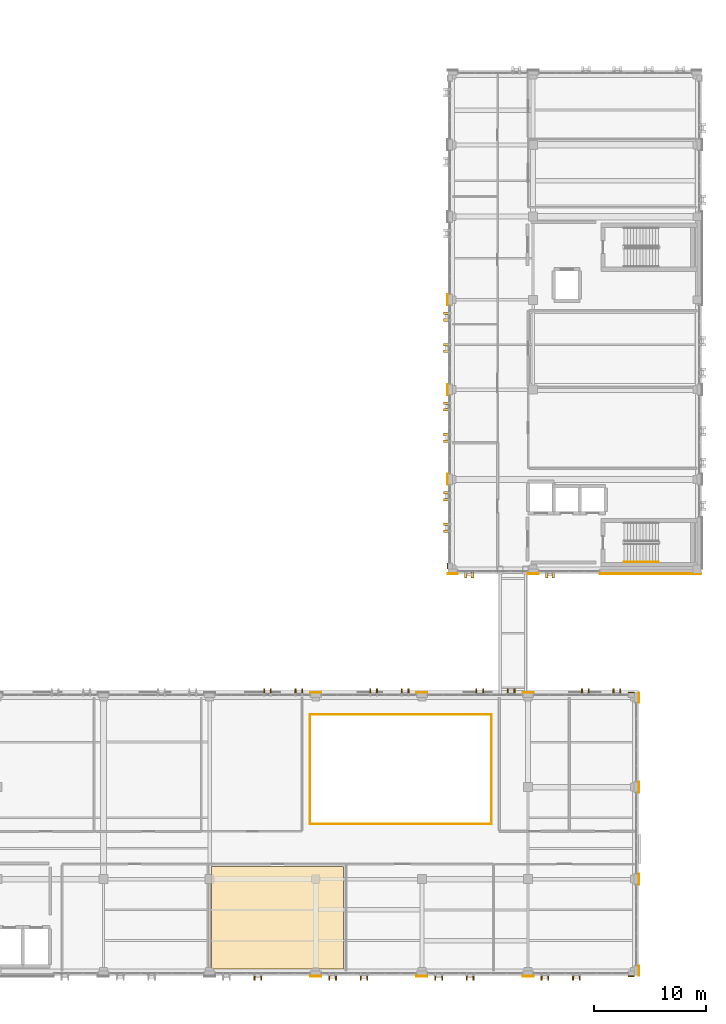
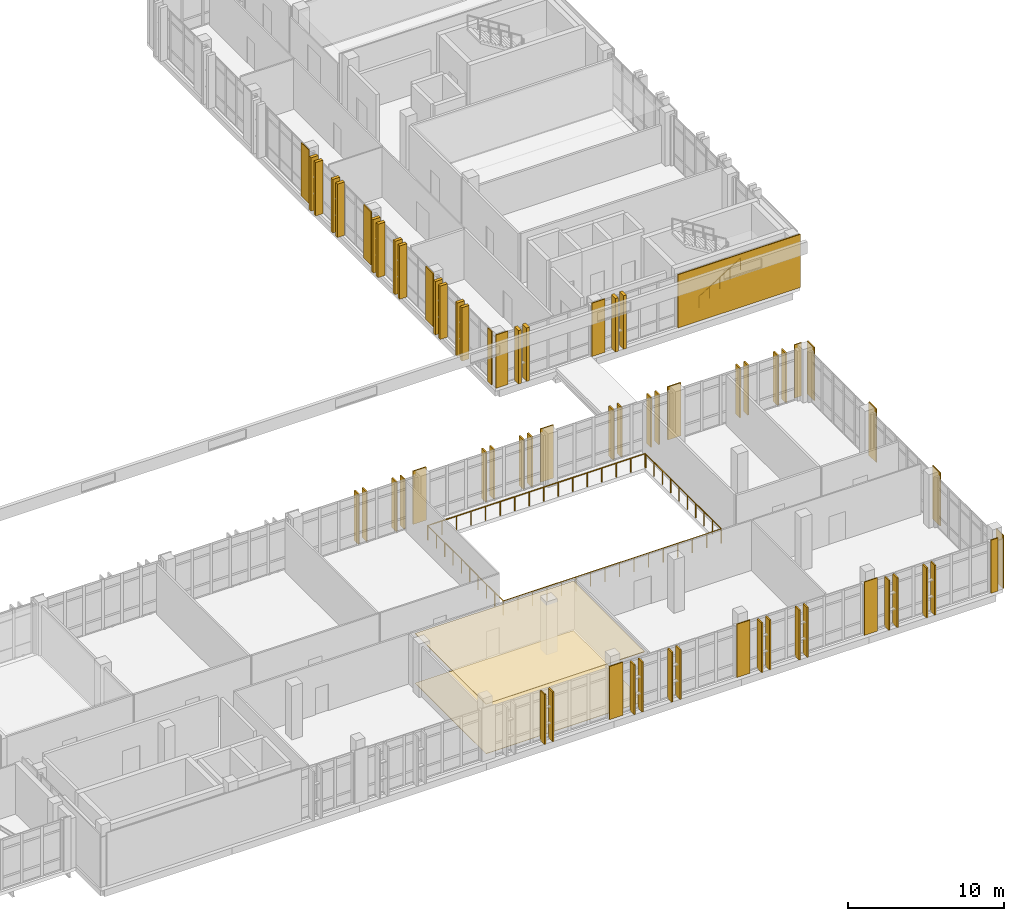
# One storey, part 147 of 158: 37 coverings, 30 shading devices, 5 railings.
"""IFC4 building model written with IfcOpenShell, lengths in metres."""

from ifc_helpers import new_model, si_unit, direction, frame, origin, origin_2d, place, context, subcontext, project, spatial, polyline, rectangle, circle, outline, extrude, material, layer, layer_set, type_object, element, save


model = new_model("IFC4")

# Units and contexts
model_context = context("Model", 3, precision=1e-05, world=origin(), true_north=direction((0.0, 1.0)))
body_context = subcontext(model_context, "Body", "Model", "MODEL_VIEW")
ifc_project = project(units=[si_unit("LENGTHUNIT", "METRE"), si_unit("AREAUNIT", "SQUARE_METRE"), si_unit("VOLUMEUNIT", "CUBIC_METRE"), si_unit("PLANEANGLEUNIT", "RADIAN"), si_unit("MASSUNIT", "GRAM", prefix="KILO")], contexts=[model_context])

# Site, building, storey
site_placement = place(None, origin())
site = spatial("IfcSite", under=ifc_project, at=site_placement, CompositionType="ELEMENT")
building_placement = place(site_placement, origin())
building = spatial("IfcBuilding", under=site, at=building_placement, Name="Qalavern Law Courts", CompositionType="ELEMENT")
storey_placement = place(building_placement, frame((0.0, 0.0, 18.60009765625)))
storey = spatial("IfcBuildingStorey", under=building, at=storey_placement, Name="L04", CompositionType="ELEMENT", Elevation=18.60009765625)

# Coverings
ifc_material_1 = material(Name="Precast concrete C40/50", Category="concrete")
ifc_layer_1 = layer(ifc_material_1, 0.22998046875)
ifc_layer_set_1 = layer_set([ifc_layer_1], Name="Precast concrete C40/50")
covering_type_1 = type_object("IfcCoveringType", Name="ENV-BLD-2", PredefinedType="CLADDING", material=ifc_layer_set_1)
for number, where, z_axis, x_axis, name in (
    (1, (85.800048828125, 40.909912109375, 0.0048828125), (0.0, 0.0, 1.0), (0.0, -1.0, 0.0), "Absheron stone facade blade 0667"),
    (2, (86.39990234375, 40.909912109375, 0.0048828125), (0.0, 0.0, 1.0), (0.0, -1.0, 0.0), "Absheron stone facade blade 0668"),
    (3, (93.0, 40.909912109375, 0.0048828125), (0.0, 0.0, 1.0), (0.0, -1.0, 0.0), "Absheron stone facade blade 0669"),
    (4, (93.60009765625, 40.909912109375, 0.0048828125), (0.0, 0.0, 1.0), (0.0, -1.0, 0.0), "Absheron stone facade blade 0670"),
    (5, (84.090087890625, 64.199951171875, 0.0048828125), (0.0, 0.0, 1.0), (-1.0, 0.0, 0.0), "Absheron stone facade blade 0701"),
    (6, (84.090087890625, 63.60009765625, 0.0048828125), (0.0, 0.0, 1.0), (-1.0, 0.0, 0.0), "Absheron stone facade blade 0702"),
    (7, (84.090087890625, 61.39990234375, 0.0048828125), (0.0, 0.0, 1.0), (-1.0, 0.0, 0.0), "Absheron stone facade blade 0703"),
    (8, (84.090087890625, 60.800048828125, 0.0048828125), (0.0, 0.0, 1.0), (-1.0, 0.0, 0.0), "Absheron stone facade blade 0704"),
    (9, (84.090087890625, 56.199951171875, 0.0048828125), (0.0, 0.0, 1.0), (-1.0, 0.0, 0.0), "Absheron stone facade blade 0705"),
    (10, (84.090087890625, 55.60009765625, 0.0048828125), (0.0, 0.0, 1.0), (-1.0, 0.0, 0.0), "Absheron stone facade blade 0706"),
    (11, (84.090087890625, 53.39990234375, 0.0048828125), (0.0, 0.0, 1.0), (-1.0, 0.0, 0.0), "Absheron stone facade blade 0707"),
    (12, (84.090087890625, 52.800048828125, 0.0048828125), (0.0, 0.0, 1.0), (-1.0, 0.0, 0.0), "Absheron stone facade blade 0708"),
    (13, (84.090087890625, 48.199951171875, 0.0048828125), (0.0, 0.0, 1.0), (-1.0, 0.0, 0.0), "Absheron stone facade blade 0709"),
    (14, (84.090087890625, 47.60009765625, 0.0048828125), (0.0, 0.0, 1.0), (-1.0, 0.0, 0.0), "Absheron stone facade blade 0710"),
    (15, (84.090087890625, 45.39990234375, 0.0048828125), (0.0, 0.0, 1.0), (-1.0, 0.0, 0.0), "Absheron stone facade blade 0711"),
    (16, (84.090087890625, 44.800048828125, 0.0048828125), (0.0, 0.0, 1.0), (-1.0, 0.0, 0.0), "Absheron stone facade blade 0712"),
):
    element("IfcCovering", number, at=place(storey_placement, frame(where, z_axis=z_axis, x_axis=x_axis)), inside=storey, type_object=covering_type_1, Name=name, PredefinedType="CLADDING", context=body_context, shape_type="SweptSolid", body=[
        extrude(rectangle(XDim=0.5400390625, YDim=0.22998046875, at=origin_2d()), origin(), (0.0, 0.0, 1.0), 4.18994140625),
    ])
ifc_layer_2 = layer(ifc_material_1, 0.072021484375)
ifc_layer_set_2 = layer_set([ifc_layer_2], Name="Precast concrete C40/50")
covering_type_2 = type_object("IfcCoveringType", Name="ENV-CLD-2", PredefinedType="CLADDING", material=ifc_layer_set_2)
for number, where, z_axis, x_axis, name in (
    (17, (72.43701171875, 5.1669921875, 0.009765625), (0.0, 0.0, 1.0), (1.0, 0.0, 0.0), "V2 Absheron limestone pier facing L04 south 4"),
    (18, (81.891357421875, 5.1669921875, 0.009765625), (0.0, 0.0, 1.0), (1.0, 0.0, 0.0), "V2 Absheron limestone pier facing L04 south 5"),
    (19, (91.345703125, 5.1669921875, 0.009765625), (0.0, 0.0, 1.0), (1.0, 0.0, 0.0), "V2 Absheron limestone pier facing L04 south 6"),
):
    element("IfcCovering", number, at=place(storey_placement, frame(where, z_axis=z_axis, x_axis=x_axis)), inside=storey, type_object=covering_type_2, Name=name, PredefinedType="CLADDING", context=body_context, shape_type="SweptSolid", body=[
        extrude(rectangle(XDim=0.97998046875, YDim=0.072021484375, at=origin_2d()), origin(), (0.0, 0.0, 1.0), 4.179931640625),
    ])
covering_1_placement = place(storey_placement, frame((100.530029296875, 5.1669921875, 0.009765625), z_axis=(0.0, 0.0, 1.0), x_axis=(1.0, 0.0, 0.0)))
element("IfcCovering", 20, at=covering_1_placement, inside=storey, type_object=covering_type_2, Name="V2 Absheron limestone pier facing L04 south 7", PredefinedType="CLADDING", context=body_context, shape_type="SweptSolid", body=[
    extrude(rectangle(XDim=0.530029296875, YDim=0.072021484375, at=origin_2d()), origin(), (0.0, 0.0, 1.0), 4.179931640625),
])
covering_2_placement = place(storey_placement, frame((101.23291015625, 5.64990234375, 0.009765625), z_axis=(0.0, 0.0, 1.0), x_axis=(0.0, 1.0, 0.0)))
element("IfcCovering", 21, at=covering_2_placement, inside=storey, type_object=covering_type_2, Name="V2 Absheron limestone pier facing L04 east 1", PredefinedType="CLADDING", context=body_context, shape_type="SweptSolid", body=[
    extrude(rectangle(XDim=0.8798828125, YDim=0.072021484375, at=origin_2d()), origin(), (0.0, 0.0, 1.0), 4.179931640625),
])
for number, where, z_axis, x_axis, name in (
    (22, (101.23291015625, 13.800048828125, 0.009765625), (0.0, 0.0, 1.0), (0.0, 1.0, 0.0), "V2 Absheron limestone pier facing L04 east 2"),
    (23, (101.23291015625, 22.0, 0.009765625), (0.0, 0.0, 1.0), (0.0, 1.0, 0.0), "V2 Absheron limestone pier facing L04 east 3"),
):
    element("IfcCovering", number, at=place(storey_placement, frame(where, z_axis=z_axis, x_axis=x_axis)), inside=storey, type_object=covering_type_2, Name=name, PredefinedType="CLADDING", context=body_context, shape_type="SweptSolid", body=[
        extrude(rectangle(XDim=0.97998046875, YDim=0.072021484375, at=origin_2d()), origin(), (0.0, 0.0, 1.0), 4.179931640625),
    ])
covering_3_placement = place(storey_placement, frame((101.23291015625, 29.949951171875, 0.009765625), z_axis=(0.0, 0.0, 1.0), x_axis=(0.0, 1.0, 0.0)))
element("IfcCovering", 24, at=covering_3_placement, inside=storey, type_object=covering_type_2, Name="V2 Absheron limestone pier facing L04 east 4", PredefinedType="CLADDING", context=body_context, shape_type="SweptSolid", body=[
    extrude(rectangle(XDim=0.8798828125, YDim=0.072021484375, at=origin_2d()), origin(), (0.0, 0.0, 1.0), 4.179931640625),
])
covering_4_placement = place(storey_placement, frame((100.530029296875, 30.43310546875, 0.009765625), z_axis=(0.0, 0.0, 1.0), x_axis=(-1.0, 0.0, 0.0)))
element("IfcCovering", 25, at=covering_4_placement, inside=storey, type_object=covering_type_2, Name="V2 Absheron limestone pier facing L04 north 1", PredefinedType="CLADDING", context=body_context, shape_type="SweptSolid", body=[
    extrude(rectangle(XDim=0.530029296875, YDim=0.072021484375, at=origin_2d()), origin(), (0.0, 0.0, 1.0), 4.179931640625),
])
for number, where, z_axis, x_axis, name in (
    (26, (91.345703125, 30.43310546875, 0.009765625), (0.0, 0.0, 1.0), (-1.0, 0.0, 0.0), "V2 Absheron limestone pier facing L04 north 2"),
    (27, (81.891357421875, 30.43310546875, 0.009765625), (0.0, 0.0, 1.0), (-1.0, 0.0, 0.0), "V2 Absheron limestone pier facing L04 north 3"),
    (28, (72.43701171875, 30.43310546875, 0.009765625), (0.0, 0.0, 1.0), (-1.0, 0.0, 0.0), "V2 Absheron limestone pier facing L04 north 4"),
):
    element("IfcCovering", number, at=place(storey_placement, frame(where, z_axis=z_axis, x_axis=x_axis)), inside=storey, type_object=covering_type_2, Name=name, PredefinedType="CLADDING", context=body_context, shape_type="SweptSolid", body=[
        extrude(rectangle(XDim=0.97998046875, YDim=0.072021484375, at=origin_2d()), origin(), (0.0, 0.0, 1.0), 4.179931640625),
    ])
covering_5_placement = place(storey_placement, frame((84.64990234375, 40.987060546875, 0.009765625), z_axis=(0.0, 0.0, 1.0), x_axis=(1.0, 0.0, 0.0)))
element("IfcCovering", 29, at=covering_5_placement, inside=storey, type_object=covering_type_2, Name="V4 Absheron limestone pier facing L04 south 1", PredefinedType="CLADDING", context=body_context, shape_type="SweptSolid", body=[
    extrude(rectangle(XDim=0.8798828125, YDim=0.072021484375, at=origin_2d()), origin(), (0.0, 0.0, 1.0), 4.179931640625),
])
covering_6_placement = place(storey_placement, frame((91.800048828125, 40.987060546875, 0.009765625), z_axis=(0.0, 0.0, 1.0), x_axis=(1.0, 0.0, 0.0)))
element("IfcCovering", 30, at=covering_6_placement, inside=storey, type_object=covering_type_2, Name="V4 Absheron limestone pier facing L04 south 2", PredefinedType="CLADDING", context=body_context, shape_type="SweptSolid", body=[
    extrude(rectangle(XDim=0.97998046875, YDim=0.072021484375, at=origin_2d()), origin(), (0.0, 0.0, 1.0), 4.179931640625),
])
covering_7_placement = place(storey_placement, frame((102.25, 40.987060546875, 0.009765625), z_axis=(0.0, 0.0, 1.0), x_axis=(1.0, 0.0, 0.0)))
element("IfcCovering", 31, at=covering_7_placement, inside=storey, type_object=covering_type_2, Name="V4 Absheron limestone pier facing L04 south 3", PredefinedType="CLADDING", context=body_context, shape_type="SweptSolid", body=[
    extrude(rectangle(XDim=9.080078125, YDim=0.072021484375, at=origin_2d()), origin(), (0.0, 0.0, 1.0), 4.179931640625),
])
for number, where, z_axis, x_axis, name in (
    (32, (84.1669921875, 65.39990234375, 0.009765625), (0.0, 0.0, 1.0), (0.0, -1.0, 0.0), "V4 Absheron limestone pier facing L04 west 4"),
    (33, (84.1669921875, 57.39990234375, 0.009765625), (0.0, 0.0, 1.0), (0.0, -1.0, 0.0), "V4 Absheron limestone pier facing L04 west 5"),
    (34, (84.1669921875, 49.39990234375, 0.009765625), (0.0, 0.0, 1.0), (0.0, -1.0, 0.0), "V4 Absheron limestone pier facing L04 west 6"),
):
    element("IfcCovering", number, at=place(storey_placement, frame(where, z_axis=z_axis, x_axis=x_axis)), inside=storey, type_object=covering_type_2, Name=name, PredefinedType="CLADDING", context=body_context, shape_type="SweptSolid", body=[
        extrude(rectangle(XDim=0.97998046875, YDim=0.072021484375, at=origin_2d()), origin(), (0.0, 0.0, 1.0), 4.179931640625),
    ])
covering_8_placement = place(storey_placement, frame((84.1669921875, 41.68994140625, 0.009765625), z_axis=(0.0, 0.0, 1.0), x_axis=(0.0, -1.0, 0.0)))
element("IfcCovering", 35, at=covering_8_placement, inside=storey, type_object=covering_type_2, Name="V4 Absheron limestone pier facing L04 west 7", PredefinedType="CLADDING", context=body_context, shape_type="SweptSolid", body=[
    extrude(rectangle(XDim=0.530029296875, YDim=0.072021484375, at=origin_2d()), origin(), (0.0, 0.0, 1.0), 4.179931640625),
])

# Shading devices
shading_device_type = type_object("IfcShadingDeviceType", Name="ENV-FIN-2", PredefinedType="USERDEFINED", material=ifc_material_1)
for number, where, z_axis, x_axis, name in (
    (36, (66.98291015625, 5.090087890625, 0.009765625), (0.0, 0.0, 1.0), (0.0, -1.0, 0.0), "Hall solar shading fin 0153"),
    (37, (67.5830078125, 5.090087890625, 0.009765625), (0.0, 0.0, 1.0), (0.0, -1.0, 0.0), "Hall solar shading fin 0154"),
    (38, (73.63720703125, 5.090087890625, 0.009765625), (0.0, 0.0, 1.0), (0.0, -1.0, 0.0), "Hall solar shading fin 0155"),
    (39, (74.237060546875, 5.090087890625, 0.009765625), (0.0, 0.0, 1.0), (0.0, -1.0, 0.0), "Hall solar shading fin 0156"),
    (40, (76.43701171875, 5.090087890625, 0.009765625), (0.0, 0.0, 1.0), (0.0, -1.0, 0.0), "Hall solar shading fin 0157"),
    (41, (77.037109375, 5.090087890625, 0.009765625), (0.0, 0.0, 1.0), (0.0, -1.0, 0.0), "Hall solar shading fin 0158"),
    (42, (83.09130859375, 5.090087890625, 0.009765625), (0.0, 0.0, 1.0), (0.0, -1.0, 0.0), "Hall solar shading fin 0159"),
    (43, (83.69140625, 5.090087890625, 0.009765625), (0.0, 0.0, 1.0), (0.0, -1.0, 0.0), "Hall solar shading fin 0160"),
    (44, (85.891357421875, 5.090087890625, 0.009765625), (0.0, 0.0, 1.0), (0.0, -1.0, 0.0), "Hall solar shading fin 0161"),
    (45, (86.491455078125, 5.090087890625, 0.009765625), (0.0, 0.0, 1.0), (0.0, -1.0, 0.0), "Hall solar shading fin 0162"),
    (46, (92.545654296875, 5.090087890625, 0.009765625), (0.0, 0.0, 1.0), (0.0, -1.0, 0.0), "Hall solar shading fin 0163"),
    (47, (93.145751953125, 5.090087890625, 0.009765625), (0.0, 0.0, 1.0), (0.0, -1.0, 0.0), "Hall solar shading fin 0164"),
    (48, (95.345703125, 5.090087890625, 0.009765625), (0.0, 0.0, 1.0), (0.0, -1.0, 0.0), "Hall solar shading fin 0165"),
    (49, (95.94580078125, 5.090087890625, 0.009765625), (0.0, 0.0, 1.0), (0.0, -1.0, 0.0), "Hall solar shading fin 0166"),
    (50, (99.554931640625, 30.510009765625, 0.009765625), (0.0, 0.0, 1.0), (0.0, 1.0, 0.0), "Hall solar shading fin 0167"),
    (51, (98.955078125, 30.510009765625, 0.009765625), (0.0, 0.0, 1.0), (0.0, 1.0, 0.0), "Hall solar shading fin 0168"),
    (52, (96.7548828125, 30.510009765625, 0.009765625), (0.0, 0.0, 1.0), (0.0, 1.0, 0.0), "Hall solar shading fin 0169"),
    (53, (96.155029296875, 30.510009765625, 0.009765625), (0.0, 0.0, 1.0), (0.0, 1.0, 0.0), "Hall solar shading fin 0170"),
    (54, (90.145751953125, 30.510009765625, 0.009765625), (0.0, 0.0, 1.0), (0.0, 1.0, 0.0), "Hall solar shading fin 0171"),
    (55, (89.545654296875, 30.510009765625, 0.009765625), (0.0, 0.0, 1.0), (0.0, 1.0, 0.0), "Hall solar shading fin 0172"),
    (56, (87.345703125, 30.510009765625, 0.009765625), (0.0, 0.0, 1.0), (0.0, 1.0, 0.0), "Hall solar shading fin 0173"),
    (57, (86.74560546875, 30.510009765625, 0.009765625), (0.0, 0.0, 1.0), (0.0, 1.0, 0.0), "Hall solar shading fin 0174"),
    (58, (80.69140625, 30.510009765625, 0.009765625), (0.0, 0.0, 1.0), (0.0, 1.0, 0.0), "Hall solar shading fin 0175"),
    (59, (80.09130859375, 30.510009765625, 0.009765625), (0.0, 0.0, 1.0), (0.0, 1.0, 0.0), "Hall solar shading fin 0176"),
    (60, (77.891357421875, 30.510009765625, 0.009765625), (0.0, 0.0, 1.0), (0.0, 1.0, 0.0), "Hall solar shading fin 0177"),
    (61, (77.29150390625, 30.510009765625, 0.009765625), (0.0, 0.0, 1.0), (0.0, 1.0, 0.0), "Hall solar shading fin 0178"),
    (62, (71.237060546875, 30.510009765625, 0.009765625), (0.0, 0.0, 1.0), (0.0, 1.0, 0.0), "Hall solar shading fin 0179"),
    (63, (70.63720703125, 30.510009765625, 0.009765625), (0.0, 0.0, 1.0), (0.0, 1.0, 0.0), "Hall solar shading fin 0180"),
    (64, (68.43701171875, 30.510009765625, 0.009765625), (0.0, 0.0, 1.0), (0.0, 1.0, 0.0), "Hall solar shading fin 0181"),
    (65, (67.837158203125, 30.510009765625, 0.009765625), (0.0, 0.0, 1.0), (0.0, 1.0, 0.0), "Hall solar shading fin 0182"),
):
    element("IfcShadingDevice", number, at=place(storey_placement, frame(where, z_axis=z_axis, x_axis=x_axis)), inside=storey, type_object=shading_device_type, Name=name, ObjectType="FIN", PredefinedType="USERDEFINED", context=body_context, shape_type="SweptSolid", body=[
        extrude(rectangle(XDim=0.5400390625, YDim=0.10498046875, at=origin_2d()), origin(), (0.0, 0.0, 1.0), 3.905029296875),
    ])

# Coverings
ifc_material_2 = material(Name="Perforated gypsum and mineral-wool acoustic ceiling")
ifc_layer_3 = layer(ifc_material_2, 0.0458984375)
ifc_layer_set_3 = layer_set([ifc_layer_3], Name="Perforated gypsum and mineral-wool acoustic ceiling")
covering_type_3 = type_object("IfcCoveringType", Name="INT-CEIL-2", PredefinedType="CEILING", material=ifc_layer_set_3)
covering_9_placement = place(storey_placement, frame((0.0, 0.0, 3.87890625)))
element("IfcCovering", 66, at=covering_9_placement, inside=storey, type_object=covering_type_3, Name="Judicial Conference Hall acoustic ceiling L04", PredefinedType="CEILING", context=body_context, shape_type="SweptSolid", body=[
    extrude(outline(polyline([(63.159912109375, 5.7900390625), (74.922119140625, 5.7900390625), (74.922119140625, 14.929931640625), (63.159912109375, 14.929931640625), (63.159912109375, 5.7900390625)])), origin(), (0.0, 0.0, 1.0), 0.0458984375),
])
ifc_material_3 = material(Name="Polished Absheron stone terrazzo flooring", Category="masonry")
ifc_layer_4 = layer(ifc_material_3, 0.030029296875)
ifc_layer_set_4 = layer_set([ifc_layer_4], Name="Polished Absheron stone terrazzo flooring")
covering_type_4 = type_object("IfcCoveringType", Name="INT-FLR-2", PredefinedType="FLOORING", material=ifc_layer_set_4)
covering_10_placement = place(storey_placement, origin())
element("IfcCovering", 67, at=covering_10_placement, inside=storey, type_object=covering_type_4, Name="Judicial Conference Hall finish flooring L04", PredefinedType="FLOORING", context=body_context, shape_type="SweptSolid", body=[
    extrude(outline(polyline([(63.159912109375, 5.7900390625), (74.922119140625, 5.7900390625), (74.922119140625, 14.929931640625), (63.159912109375, 14.929931640625), (63.159912109375, 5.7900390625)])), origin(), (0.0, 0.0, 1.0), 0.02978515625),
])

# Railings
ifc_material_4 = material(Name="Steel S355", Category="steel")
railing_type_1 = type_object("IfcRailingType", Name="INT-GUARD-1120B", PredefinedType="BALUSTRADE", material=ifc_material_4)
railing_1_placement = place(storey_placement, frame((71.919921875, 18.719970703125, 0.0)))
element("IfcRailing", 68, at=railing_1_placement, inside=storey, type_object=railing_type_1, Name="V2 atrium gallery void balustrade L04-1.1", PredefinedType="BALUSTRADE", context=body_context, shape_type="SweptSolid", body=[
    extrude(circle(Radius=0.02392578125, at=origin_2d()), frame((0.0, 0.0, 1.09619140625), z_axis=(1.0, 0.0, 0.0), x_axis=(0.0, 1.0, 0.0)), (0.0, 0.0, 1.0), 16.16015625),
    extrude(circle(Radius=0.02099609375, at=origin_2d()), origin(), (0.0, 0.0, 1.0), 1.072021484375),
    extrude(circle(Radius=0.02099609375, at=origin_2d()), frame((1.077392578125, 0.0, 0.0)), (0.0, 0.0, 1.0), 1.072021484375),
    extrude(circle(Radius=0.02099609375, at=origin_2d()), frame((2.15478515625, 0.0, 0.0)), (0.0, 0.0, 1.0), 1.072021484375),
    extrude(circle(Radius=0.02099609375, at=origin_2d()), frame((3.23193359375, 0.0, 0.0)), (0.0, 0.0, 1.0), 1.072021484375),
    extrude(circle(Radius=0.02099609375, at=origin_2d()), frame((4.309326171875, 0.0, 0.0)), (0.0, 0.0, 1.0), 1.072021484375),
    extrude(circle(Radius=0.02099609375, at=origin_2d()), frame((5.38671875, 0.0, 0.0)), (0.0, 0.0, 1.0), 1.072021484375),
    extrude(circle(Radius=0.02099609375, at=origin_2d()), frame((6.464111328125, 0.0, 0.0)), (0.0, 0.0, 1.0), 1.072021484375),
    extrude(circle(Radius=0.02099609375, at=origin_2d()), frame((7.54150390625, 0.0, 0.0)), (0.0, 0.0, 1.0), 1.072021484375),
    extrude(circle(Radius=0.02099609375, at=origin_2d()), frame((8.61865234375, 0.0, 0.0)), (0.0, 0.0, 1.0), 1.072021484375),
    extrude(circle(Radius=0.02099609375, at=origin_2d()), frame((9.696044921875, 0.0, 0.0)), (0.0, 0.0, 1.0), 1.072021484375),
    extrude(circle(Radius=0.02099609375, at=origin_2d()), frame((10.7734375, 0.0, 0.0)), (0.0, 0.0, 1.0), 1.072021484375),
    extrude(circle(Radius=0.02099609375, at=origin_2d()), frame((11.850830078125, 0.0, 0.0)), (0.0, 0.0, 1.0), 1.072021484375),
    extrude(circle(Radius=0.02099609375, at=origin_2d()), frame((12.92822265625, 0.0, 0.0)), (0.0, 0.0, 1.0), 1.072021484375),
    extrude(circle(Radius=0.02099609375, at=origin_2d()), frame((14.00537109375, 0.0, 0.0)), (0.0, 0.0, 1.0), 1.072021484375),
    extrude(circle(Radius=0.02099609375, at=origin_2d()), frame((15.082763671875, 0.0, 0.0)), (0.0, 0.0, 1.0), 1.072021484375),
    extrude(circle(Radius=0.02099609375, at=origin_2d()), frame((16.16015625, 0.0, 0.0)), (0.0, 0.0, 1.0), 1.072021484375),
])
railing_2_placement = place(storey_placement, frame((88.080078125, 18.77001953125, 0.0)))
element("IfcRailing", 69, at=railing_2_placement, inside=storey, type_object=railing_type_1, Name="V2 atrium gallery void balustrade L04-1.2", PredefinedType="BALUSTRADE", context=body_context, shape_type="SweptSolid", body=[
    extrude(circle(Radius=0.02392578125, at=origin_2d()), frame((0.0, 0.0, 1.09619140625), z_axis=(0.0, 1.0, 0.0), x_axis=(-1.0, 0.0, 0.0)), (0.0, 0.0, 1.0), 9.659912109375),
    extrude(circle(Radius=0.02099609375, at=origin_2d()), origin(), (0.0, 0.0, 1.0), 1.072021484375),
    extrude(circle(Radius=0.02099609375, at=origin_2d()), frame((0.0, 1.0732421875, 0.0)), (0.0, 0.0, 1.0), 1.072021484375),
    extrude(circle(Radius=0.02099609375, at=origin_2d()), frame((0.0, 2.146728515625, 0.0)), (0.0, 0.0, 1.0), 1.072021484375),
    extrude(circle(Radius=0.02099609375, at=origin_2d()), frame((0.0, 3.219970703125, 0.0)), (0.0, 0.0, 1.0), 1.072021484375),
    extrude(circle(Radius=0.02099609375, at=origin_2d()), frame((0.0, 4.293212890625, 0.0)), (0.0, 0.0, 1.0), 1.072021484375),
    extrude(circle(Radius=0.02099609375, at=origin_2d()), frame((0.0, 5.36669921875, 0.0)), (0.0, 0.0, 1.0), 1.072021484375),
    extrude(circle(Radius=0.02099609375, at=origin_2d()), frame((0.0, 6.43994140625, 0.0)), (0.0, 0.0, 1.0), 1.072021484375),
    extrude(circle(Radius=0.02099609375, at=origin_2d()), frame((0.0, 7.51318359375, 0.0)), (0.0, 0.0, 1.0), 1.072021484375),
    extrude(circle(Radius=0.02099609375, at=origin_2d()), frame((0.0, 8.586669921875, 0.0)), (0.0, 0.0, 1.0), 1.072021484375),
    extrude(circle(Radius=0.02099609375, at=origin_2d()), frame((0.0, 9.659912109375, 0.0)), (0.0, 0.0, 1.0), 1.072021484375),
])
railing_3_placement = place(storey_placement, frame((88.080078125, 28.47998046875, 0.0)))
element("IfcRailing", 70, at=railing_3_placement, inside=storey, type_object=railing_type_1, Name="V2 atrium gallery void balustrade L04-1.3", PredefinedType="BALUSTRADE", context=body_context, shape_type="SweptSolid", body=[
    extrude(circle(Radius=0.02392578125, at=origin_2d()), frame((0.0, 0.0, 1.09619140625), z_axis=(-1.0, 0.0, 0.0), x_axis=(0.0, -1.0, 0.0)), (0.0, 0.0, 1.0), 16.16015625),
    extrude(circle(Radius=0.02099609375, at=origin_2d()), origin(), (0.0, 0.0, 1.0), 1.072021484375),
    extrude(circle(Radius=0.02099609375, at=origin_2d()), frame((-1.077392578125, 0.0, 0.0)), (0.0, 0.0, 1.0), 1.072021484375),
    extrude(circle(Radius=0.02099609375, at=origin_2d()), frame((-2.15478515625, 0.0, 0.0)), (0.0, 0.0, 1.0), 1.072021484375),
    extrude(circle(Radius=0.02099609375, at=origin_2d()), frame((-3.23193359375, 0.0, 0.0)), (0.0, 0.0, 1.0), 1.072021484375),
    extrude(circle(Radius=0.02099609375, at=origin_2d()), frame((-4.309326171875, 0.0, 0.0)), (0.0, 0.0, 1.0), 1.072021484375),
    extrude(circle(Radius=0.02099609375, at=origin_2d()), frame((-5.38671875, 0.0, 0.0)), (0.0, 0.0, 1.0), 1.072021484375),
    extrude(circle(Radius=0.02099609375, at=origin_2d()), frame((-6.464111328125, 0.0, 0.0)), (0.0, 0.0, 1.0), 1.072021484375),
    extrude(circle(Radius=0.02099609375, at=origin_2d()), frame((-7.54150390625, 0.0, 0.0)), (0.0, 0.0, 1.0), 1.072021484375),
    extrude(circle(Radius=0.02099609375, at=origin_2d()), frame((-8.61865234375, 0.0, 0.0)), (0.0, 0.0, 1.0), 1.072021484375),
    extrude(circle(Radius=0.02099609375, at=origin_2d()), frame((-9.696044921875, 0.0, 0.0)), (0.0, 0.0, 1.0), 1.072021484375),
    extrude(circle(Radius=0.02099609375, at=origin_2d()), frame((-10.7734375, 0.0, 0.0)), (0.0, 0.0, 1.0), 1.072021484375),
    extrude(circle(Radius=0.02099609375, at=origin_2d()), frame((-11.850830078125, 0.0, 0.0)), (0.0, 0.0, 1.0), 1.072021484375),
    extrude(circle(Radius=0.02099609375, at=origin_2d()), frame((-12.92822265625, 0.0, 0.0)), (0.0, 0.0, 1.0), 1.072021484375),
    extrude(circle(Radius=0.02099609375, at=origin_2d()), frame((-14.00537109375, 0.0, 0.0)), (0.0, 0.0, 1.0), 1.072021484375),
    extrude(circle(Radius=0.02099609375, at=origin_2d()), frame((-15.082763671875, 0.0, 0.0)), (0.0, 0.0, 1.0), 1.072021484375),
    extrude(circle(Radius=0.02099609375, at=origin_2d()), frame((-16.16015625, 0.0, 0.0)), (0.0, 0.0, 1.0), 1.072021484375),
])
railing_4_placement = place(storey_placement, frame((71.919921875, 28.429931640625, 0.0)))
element("IfcRailing", 71, at=railing_4_placement, inside=storey, type_object=railing_type_1, Name="V2 atrium gallery void balustrade L04-1.4", PredefinedType="BALUSTRADE", context=body_context, shape_type="SweptSolid", body=[
    extrude(circle(Radius=0.02392578125, at=origin_2d()), frame((0.0, 0.0, 1.09619140625), z_axis=(0.0, -1.0, 0.0), x_axis=(1.0, 0.0, 0.0)), (0.0, 0.0, 1.0), 9.659912109375),
    extrude(circle(Radius=0.02099609375, at=origin_2d()), origin(), (0.0, 0.0, 1.0), 1.072021484375),
    extrude(circle(Radius=0.02099609375, at=origin_2d()), frame((0.0, -1.0732421875, 0.0)), (0.0, 0.0, 1.0), 1.072021484375),
    extrude(circle(Radius=0.02099609375, at=origin_2d()), frame((0.0, -2.146728515625, 0.0)), (0.0, 0.0, 1.0), 1.072021484375),
    extrude(circle(Radius=0.02099609375, at=origin_2d()), frame((0.0, -3.219970703125, 0.0)), (0.0, 0.0, 1.0), 1.072021484375),
    extrude(circle(Radius=0.02099609375, at=origin_2d()), frame((0.0, -4.293212890625, 0.0)), (0.0, 0.0, 1.0), 1.072021484375),
    extrude(circle(Radius=0.02099609375, at=origin_2d()), frame((0.0, -5.36669921875, 0.0)), (0.0, 0.0, 1.0), 1.072021484375),
    extrude(circle(Radius=0.02099609375, at=origin_2d()), frame((0.0, -6.43994140625, 0.0)), (0.0, 0.0, 1.0), 1.072021484375),
    extrude(circle(Radius=0.02099609375, at=origin_2d()), frame((0.0, -7.51318359375, 0.0)), (0.0, 0.0, 1.0), 1.072021484375),
    extrude(circle(Radius=0.02099609375, at=origin_2d()), frame((0.0, -8.586669921875, 0.0)), (0.0, 0.0, 1.0), 1.072021484375),
    extrude(circle(Radius=0.02099609375, at=origin_2d()), frame((0.0, -9.659912109375, 0.0)), (0.0, 0.0, 1.0), 1.072021484375),
])
railing_type_2 = type_object("IfcRailingType", Name="INT-HRAIL-920", PredefinedType="HANDRAIL", material=ifc_material_4)
railing_5_placement = place(storey_placement, frame((99.89990234375, 42.050048828125, 0.1748046875)))
element("IfcRailing", 72, at=railing_5_placement, inside=storey, type_object=railing_type_2, Name="L04 ST-K1A stair handrail 1", PredefinedType="HANDRAIL", context=body_context, shape_type="SweptSolid", body=[
    extrude(circle(Radius=0.02392578125, at=origin_2d()), frame((0.0, 0.0, 0.8759765625), z_axis=(0.847998304005, 0.0, 0.529998940003), x_axis=(0.0, 1.0, 0.0)), (0.0, 0.0, 1.0), 3.632080078125),
    extrude(circle(Radius=0.02099609375, at=origin_2d()), origin(), (0.0, 0.0, 1.0), 0.851806640625),
    extrude(circle(Radius=0.02099609375, at=origin_2d()), frame((0.77001953125, 0.0, 0.481201171875)), (0.0, 0.0, 1.0), 0.851806640625),
    extrude(circle(Radius=0.02099609375, at=origin_2d()), frame((1.5400390625, 0.0, 0.96240234375)), (0.0, 0.0, 1.0), 0.851806640625),
    extrude(circle(Radius=0.02099609375, at=origin_2d()), frame((2.31005859375, 0.0, 1.44384765625)), (0.0, 0.0, 1.0), 0.851806640625),
    extrude(circle(Radius=0.02099609375, at=origin_2d()), frame((3.080078125, 0.0, 1.925048828125)), (0.0, 0.0, 1.0), 0.851806640625),
])

save(model, "model.ifc")
